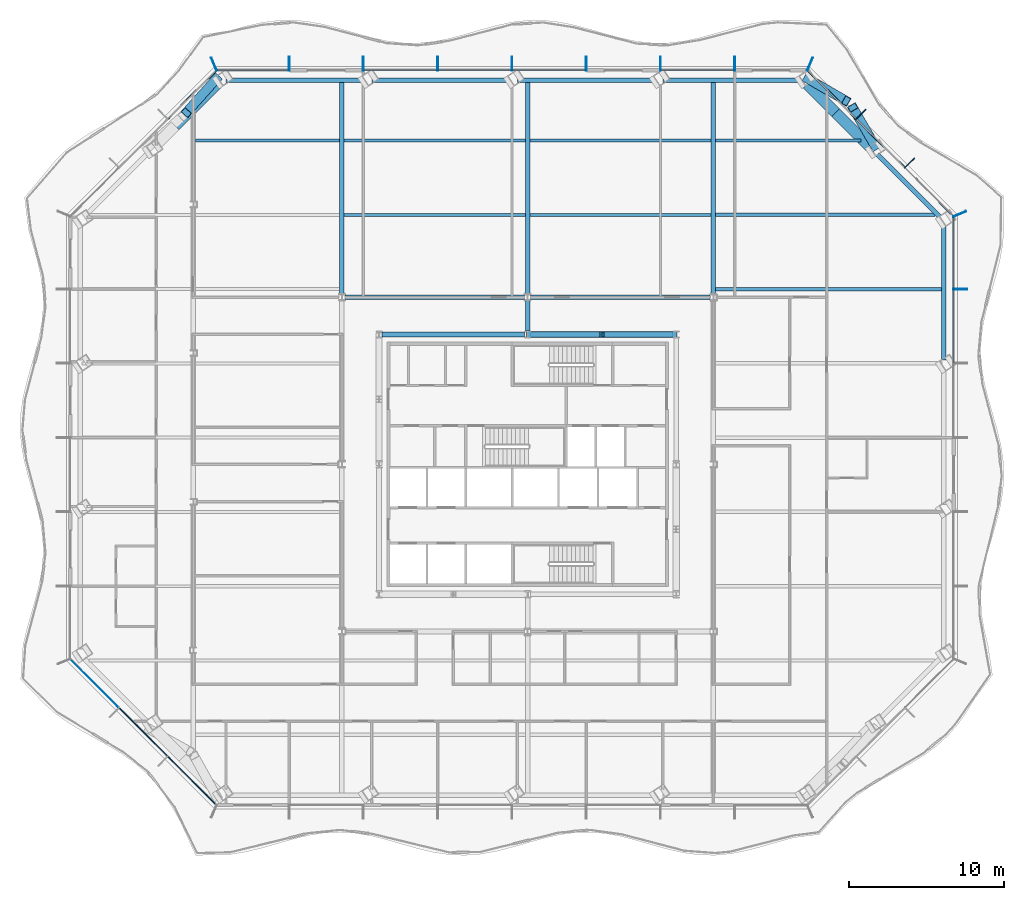
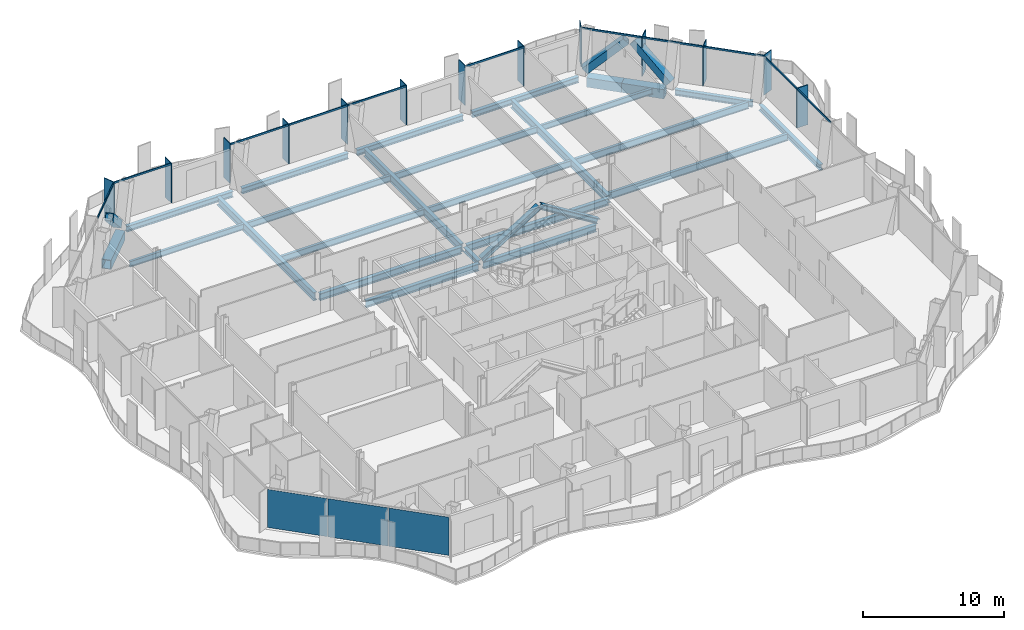
# One storey, part 5 of 21: 29 members, 25 beams, 3 plates, 5 elements without a shape of their own.
"""IFC4 building model written with IfcOpenShell, lengths in metres."""

import ifcopenshell
import ifcopenshell.guid

model = None  # the IFC model being written
_history = None  # IfcOwnerHistory: only IFC2X3 demands one
_inside = {}  # id of a spatial element -> (the spatial element, [elements in it])
_under = {}  # id of a project, library or spatial element -> (it, [spatial elements below it])
_declared = {}  # id of a project -> (the project, [libraries it declares])
_typed = {}  # id of a type object -> (the type object, [elements of that type])
_made_of = {}  # id of a material, layer set ... -> (it, [elements and type objects made of it])


def new_model(schema):
    """Start an empty IFC model of exactly this schema.

    Asked for "IFC4X3", IfcOpenShell would pick the latest addendum, in which some entities
    have other attributes; the version numbers below select the first issue.
    IFC2X3 requires an IfcOwnerHistory on every rooted entity: one is made here for all.
    """
    global model, _history
    if schema == "IFC4X3":
        model = ifcopenshell.file(schema_version=(4, 3, 0, 0))
    else:
        model = ifcopenshell.file(schema=schema)
    _inside.clear()
    _under.clear()
    _declared.clear()
    _typed.clear()
    _made_of.clear()
    _history = None
    if model.schema == "IFC2X3":
        org = make("IfcOrganization", Name="unknown")
        user = make(
            "IfcPersonAndOrganization",
            ThePerson=make("IfcPerson", FamilyName="unknown"),
            TheOrganization=org,
        )
        app = make(
            "IfcApplication",
            ApplicationDeveloper=org,
            Version="unknown",
            ApplicationFullName="unknown",
            ApplicationIdentifier="unknown",
        )
        _history = make(
            "IfcOwnerHistory",
            OwningUser=user,
            OwningApplication=app,
            ChangeAction="ADDED",
            CreationDate=0,
        )
    return model


def make(cls, **values):
    """One entity of the class cls with the attributes given. An attribute that is None is left unset."""
    return model.create_entity(
        cls, **{name: value for name, value in values.items() if value is not None}
    )


def rooted(cls, **values):
    """An entity with a GlobalId (a new one), such as an element, a storey or a relation."""
    return make(cls, GlobalId=ifcopenshell.guid.new(), OwnerHistory=_history, **values)


def si_unit(unit_type, name, prefix=None):
    """IfcSIUnit, for example si_unit("LENGTHUNIT", "METRE", prefix="MILLI")."""
    return make("IfcSIUnit", UnitType=unit_type, Prefix=prefix, Name=name)


def assignment(units):
    """IfcUnitAssignment: the units of a project."""
    return None if units is None else make("IfcUnitAssignment", Units=units)


def point(xyz):
    """IfcCartesianPoint."""
    return None if xyz is None else make("IfcCartesianPoint", Coordinates=xyz)


def direction(xyz):
    """IfcDirection."""
    return None if xyz is None else make("IfcDirection", DirectionRatios=xyz)


def frame(location, z_axis=None, x_axis=None):
    """IfcAxis2Placement3D, a coordinate frame: its origin and axes. An axis left out is left unset."""
    return make(
        "IfcAxis2Placement3D",
        Location=point(location),
        Axis=direction(z_axis),
        RefDirection=direction(x_axis),
    )


def frame_2d(location, x_axis=None):
    """IfcAxis2Placement2D, a coordinate frame in the plane: its origin and x axis."""
    return make(
        "IfcAxis2Placement2D", Location=point(location), RefDirection=direction(x_axis)
    )


def origin():
    """The frame at (0, 0, 0) with its axes left unset."""
    return frame((0.0, 0.0, 0.0))


def origin_2d():
    """The frame at (0, 0) in the plane with its x axis left unset."""
    return frame_2d((0.0, 0.0))


def place(relative_to, where):
    """IfcLocalPlacement: puts the frame where relative to a parent placement (None: the world)."""
    return make(
        "IfcLocalPlacement", PlacementRelTo=relative_to, RelativePlacement=where
    )


def context(
    kind, dimensions, precision=None, world=None, true_north=None, identifier=None
):
    """IfcGeometricRepresentationContext, for example the 3D "Model" context."""
    return make(
        "IfcGeometricRepresentationContext",
        ContextIdentifier=identifier,
        ContextType=kind,
        CoordinateSpaceDimension=dimensions,
        Precision=precision,
        WorldCoordinateSystem=world,
        TrueNorth=true_north,
    )


def subcontext(parent, identifier, kind, view, scale=None):
    """IfcGeometricRepresentationSubContext, for example "Body" below "Model"."""
    return make(
        "IfcGeometricRepresentationSubContext",
        ContextIdentifier=identifier,
        ContextType=kind,
        ParentContext=parent,
        TargetScale=scale,
        TargetView=view,
    )


def project(units=None, contexts=None):
    """IfcProject with its units and contexts."""
    return rooted(
        "IfcProject",
        Name="project",
        RepresentationContexts=contexts,
        UnitsInContext=assignment(units),
    )


def spatial(cls, under=None, at=None, **own):
    """A site, building, storey or space (cls), placed at a placement, below another one or the project."""
    s = rooted(cls, ObjectPlacement=at, **own)
    if under is not None:
        _under.setdefault(under.id(), (under, []))[1].append(s)
    return s


def profile(cls, at=None, kind="AREA", **sizes):
    """A parametric profile (cls). Its sizes go by their IFC names, for example OverallWidth=200.0."""
    return make(cls, ProfileType=kind, Position=at, **sizes)


def rectangle(**sizes):
    """IfcRectangleProfileDef."""
    return profile("IfcRectangleProfileDef", **sizes)


def hollow_rectangle(**sizes):
    """IfcRectangleHollowProfileDef."""
    return profile("IfcRectangleHollowProfileDef", **sizes)


def i_section(**sizes):
    """IfcIShapeProfileDef."""
    return profile("IfcIShapeProfileDef", **sizes)


def extrude(swept, where, along, depth):
    """IfcExtrudedAreaSolid: the profile swept, set in the frame where, extruded along a direction by depth."""
    return make(
        "IfcExtrudedAreaSolid",
        SweptArea=swept,
        Position=where,
        ExtrudedDirection=direction(along),
        Depth=depth,
    )


def shape(context_of_items, identifier, shape_type, items):
    """IfcShapeRepresentation: the items that make up one representation, for example the "Body"."""
    return make(
        "IfcShapeRepresentation",
        ContextOfItems=context_of_items,
        RepresentationIdentifier=identifier,
        RepresentationType=shape_type,
        Items=items,
    )


def material(Name=None, Category=None):
    """IfcMaterial."""
    return make("IfcMaterial", Name=Name, Category=Category)


def layer(
    of_material, thickness, ventilated=None, Name=None, Category=None, Priority=None
):
    """IfcMaterialLayer: one layer of a wall or slab, of a material (None: an air gap)."""
    return make(
        "IfcMaterialLayer",
        Material=of_material,
        LayerThickness=thickness,
        IsVentilated=ventilated,
        Name=Name,
        Category=Category,
        Priority=Priority,
    )


def layer_set(layers, Name=None):
    """IfcMaterialLayerSet."""
    return make("IfcMaterialLayerSet", MaterialLayers=layers, LayerSetName=Name)


def material_profile(
    of_material, cross_section, Name=None, Category=None, Priority=None
):
    """IfcMaterialProfile: a cross section and its material."""
    return make(
        "IfcMaterialProfile",
        Name=Name,
        Material=of_material,
        Profile=cross_section,
        Priority=Priority,
        Category=Category,
    )


def profile_set(profiles, Name=None, composite=None):
    """IfcMaterialProfileSet."""
    return make(
        "IfcMaterialProfileSet",
        Name=Name,
        MaterialProfiles=profiles,
        CompositeProfile=composite,
    )


def made_of(thing, what):
    """Note that an element or type object is made of a material, layer set ...; save() writes the relation."""
    if what is not None:
        _made_of.setdefault(what.id(), (what, []))[1].append(thing)
    return thing


def type_object(cls, material=None, **own):
    """A type object (cls), such as IfcWallType, which elements share."""
    return made_of(rooted(cls, **own), material)


def element(
    cls,
    number,
    at=None,
    inside=None,
    cuts=None,
    type_object=None,
    material=None,
    context=None,
    identifier="Body",
    shape_type=None,
    held_by="IfcProductDefinitionShape",
    body=None,
    shapes=None,
    **own,
):
    """One element of the class cls, such as IfcWall. Its Tag is "e" and its number.

    at: its placement. inside: the storey or other place that contains it. cuts: it is an
    opening in that element (IfcRelVoidsElement). A single representation is given by context,
    identifier, shape_type and body (its items); several are given by shapes. held_by: the class
    of the entity that holds the representations. save() writes the other relations.
    """
    e = rooted(cls, Tag="e%d" % number, ObjectPlacement=at, **own)
    if body is not None:
        shapes = [shape(context, identifier, shape_type, body)]
    if shapes is not None:
        e.Representation = make(held_by, Representations=shapes)
    if inside is not None:
        _inside.setdefault(inside.id(), (inside, []))[1].append(e)
    if cuts is not None:
        rooted(
            "IfcRelVoidsElement", RelatingBuildingElement=cuts, RelatedOpeningElement=e
        )
    if type_object is not None:
        _typed.setdefault(type_object.id(), (type_object, []))[1].append(e)
    return made_of(e, material)


def aggregate(whole, parts):
    """IfcRelAggregates: a whole, such as a stair, and the parts it consists of."""
    return rooted("IfcRelAggregates", RelatingObject=whole, RelatedObjects=parts)


def save(model, path):
    """Write the relations noted so far, then the file.

    IfcRelAggregates (storeys below a building ...), IfcRelContainedInSpatialStructure (elements
    in a storey), IfcRelDefinesByType, IfcRelAssociatesMaterial and IfcRelDeclares: one each for
    every whole, place, type object, material and project.
    """
    for whole, parts in _under.values():
        aggregate(whole, parts)
    for where, things in _inside.values():
        rooted(
            "IfcRelContainedInSpatialStructure",
            RelatedElements=things,
            RelatingStructure=where,
        )
    for kind, things in _typed.values():
        rooted("IfcRelDefinesByType", RelatedObjects=things, RelatingType=kind)
    for what, things in _made_of.values():
        rooted("IfcRelAssociatesMaterial", RelatedObjects=things, RelatingMaterial=what)
    for by, libraries in _declared.values():
        rooted("IfcRelDeclares", RelatingContext=by, RelatedDefinitions=libraries)
    model.write(path)


model = new_model("IFC4")

# Units and contexts
model_context = context("Model", 3, precision=1e-05, world=origin(), true_north=direction((0.0, 1.0)))
body_context = subcontext(model_context, "Body", "Model", "MODEL_VIEW")
ifc_project = project(units=[si_unit("LENGTHUNIT", "METRE"), si_unit("AREAUNIT", "SQUARE_METRE"), si_unit("VOLUMEUNIT", "CUBIC_METRE"), si_unit("PLANEANGLEUNIT", "RADIAN"), si_unit("MASSUNIT", "GRAM", prefix="KILO")], contexts=[model_context])

# Site, building, storey
site_placement = place(None, origin())
site = spatial("IfcSite", under=ifc_project, at=site_placement, CompositionType="ELEMENT")
building_placement = place(site_placement, origin())
building = spatial("IfcBuilding", under=site, at=building_placement, Name="Cairn Pilgrim Tower", CompositionType="ELEMENT")
storey_placement = place(building_placement, frame((0.0, 0.0, 108.60009765625)))
storey = spatial("IfcBuildingStorey", under=building, at=storey_placement, Name="L26", CompositionType="ELEMENT", Elevation=108.60009765625)

# Members
ifc_material_1 = material(Name="Structural steel S460M", Category="steel")
ifc_material_profile_1 = material_profile(ifc_material_1, hollow_rectangle(XDim=0.60009765625, YDim=0.60009765625, WallThickness=0.034912109375, at=origin_2d()), Name="BOX 600x600x35")
ifc_profile_set_1 = profile_set([ifc_material_profile_1], Name="Structural steel S460M")
member_type_1 = type_object("IfcMemberType", Name="BOX 600x600x35 BRACE", PredefinedType="BRACE", material=ifc_profile_set_1)
for number, where, z_axis, x_axis, name in (
    (1, (29.68603515625, 22.935302734375, 0.14990234375), (-0.375741407205, 0.647814929069, 0.662687115151), (-0.865026119361, -0.501726830878, 0.0), "XB-NE2-N1-1"),
    (2, (25.2626953125, 27.358642578125, 0.14990234375), (0.647814929069, -0.375741407205, 0.662687115151), (0.501726830878, 0.865026119361, 0.0), "XB-NE2-N1-2"),
):
    element("IfcMember", number, at=place(storey_placement, frame(where, z_axis=z_axis, x_axis=x_axis)), inside=storey, type_object=member_type_1, Name=name, PredefinedType="BRACE", context=body_context, shape_type="SweptSolid", body=[
        extrude(hollow_rectangle(XDim=0.60009765625, YDim=0.60009765625, WallThickness=0.034912109375, at=origin_2d()), origin(), (0.0, 0.0, 1.0), 3.906982421875),
    ])
member_1_placement = place(storey_placement, frame((-12.87939453125, 27.358642578125, 0.14990234375), z_axis=(-0.498923303945, -0.559613136456, 0.661746684379), x_axis=(0.746422047651, -0.665472859537, 0.0)))
element("IfcMember", 3, at=member_1_placement, inside=storey, type_object=member_type_1, Name="XB-NW1-NW2-1", PredefinedType="BRACE", context=body_context, shape_type="SweptSolid", body=[
    extrude(hollow_rectangle(XDim=0.60009765625, YDim=0.60009765625, WallThickness=0.034912109375, at=origin_2d()), origin(), (0.0, 0.0, 1.0), 3.970458984375),
])

# Beams
ifc_material_2 = material(Name="Structural steel S355J2", Category="steel")
ifc_material_profile_2 = material_profile(ifc_material_2, hollow_rectangle(XDim=0.699951171875, YDim=0.800048828125, WallThickness=0.0400390625, at=origin_2d()), Name="BOX 700x800x40")
ifc_profile_set_2 = profile_set([ifc_material_profile_2], Name="Structural steel S355J2")
beam_type_1 = type_object("IfcBeamType", Name="BOX 700x800x40 RING GIRDER", PredefinedType="SPANDREL", material=ifc_profile_set_2)
beam_1_placement = place(storey_placement, frame((29.30078125, 22.94580078125, -0.550048828125), z_axis=(-0.707106781187, 0.707106781187, 0.0), x_axis=(-0.707106781187, -0.707106781187, 0.0)))
element("IfcBeam", 4, at=beam_1_placement, inside=storey, type_object=beam_type_1, Name="RG1-NE2-N1-1", PredefinedType="SPANDREL", context=body_context, shape_type="SweptSolid", body=[
    extrude(hollow_rectangle(XDim=0.699951171875, YDim=0.800048828125, WallThickness=0.0400390625, at=origin_2d()), origin(), (0.0, 0.0, 1.0), 3.102294921875),
])
beam_2_placement = place(storey_placement, frame((27.107177734375, 25.139404296875, -0.550048828125), z_axis=(-0.707106781187, 0.707106781187, 0.0), x_axis=(-0.707106781187, -0.707106781187, 0.0)))
element("IfcBeam", 5, at=beam_2_placement, inside=storey, type_object=beam_type_1, Name="RG1-NE2-N1-2", PredefinedType="SPANDREL", context=body_context, shape_type="SweptSolid", body=[
    extrude(hollow_rectangle(XDim=0.699951171875, YDim=0.800048828125, WallThickness=0.0400390625, at=origin_2d()), origin(), (0.0, 0.0, 1.0), 2.59326171875),
])
beam_3_placement = place(storey_placement, frame((-12.89013671875, 26.97314453125, -0.550048828125), z_axis=(-0.707106781187, -0.707106781187, 0.0), x_axis=(0.707106781187, -0.707106781187, 0.0)))
element("IfcBeam", 6, at=beam_3_placement, inside=storey, type_object=beam_type_1, Name="RG1-NW1-NW2-1", PredefinedType="SPANDREL", context=body_context, shape_type="SweptSolid", body=[
    extrude(hollow_rectangle(XDim=0.699951171875, YDim=0.800048828125, WallThickness=0.0400390625, at=origin_2d()), origin(), (0.0, 0.0, 1.0), 3.81005859375),
])

# Curtain wall, member
ifc_material_3 = material(Name="Aluminium alloy 6063-T6 bronze anodised with Bronze tinted laminated low-E glass 8+16+8.8", Category="aluminium")
curtain_wall_type_1 = type_object("IfcCurtainWallType", Name="TOWER STICK CURTAIN WALL EW", PredefinedType="NOTDEFINED", material=ifc_material_3)
curtain_wall_1_placement = place(storey_placement, origin())
curtain_wall_1 = element("IfcCurtainWall", 7, at=curtain_wall_1_placement, inside=storey, type_object=curtain_wall_type_1, Name="Tower Stick Curtain Wall Ew E", PredefinedType="NOTDEFINED")
ifc_material_4 = material(Name="Aluminium alloy 6063-T6 bronze anodised", Category="aluminium")
ifc_material_profile_3 = material_profile(ifc_material_4, rectangle(XDim=0.89990234375, YDim=0.06005859375, at=origin_2d()), Name="FIN MULLION 60x900 BRONZE")
ifc_profile_set_3 = profile_set([ifc_material_profile_3], Name="Aluminium alloy 6063-T6 bronze anodised")
member_type_2 = type_object("IfcMemberType", Name="FIN MULLION 60x900 BRONZE", PredefinedType="MULLION", material=ifc_profile_set_3)
member_2_placement = place(storey_placement, frame((35.16162109375, 13.727783203125, 0.0), z_axis=(0.0, 0.0, 1.0), x_axis=(1.0, 0.0, 0.0)))
member_2 = element("IfcMember", 8, at=member_2_placement, type_object=member_type_2, Name="Fin mullion E6", PredefinedType="MULLION", context=body_context, shape_type="SweptSolid", body=[
    extrude(rectangle(XDim=0.89990234375, YDim=0.06005859375, at=origin_2d()), origin(), (0.0, 0.0, 1.0), 3.449951171875),
])

# Curtain wall, members
curtain_wall_type_2 = type_object("IfcCurtainWallType", Name="CHAMFER CORNER CURTAIN WALL", PredefinedType="NOTDEFINED", material=ifc_material_3)
curtain_wall_2_placement = place(storey_placement, origin())
curtain_wall_2 = element("IfcCurtainWall", 9, at=curtain_wall_2_placement, inside=storey, type_object=curtain_wall_type_2, Name="Chamfer Corner Curtain Wall NE", PredefinedType="NOTDEFINED")
member_3_placement = place(storey_placement, frame((35.129638671875, 18.5849609375, 0.0), z_axis=(0.0, 0.0, 1.0), x_axis=(0.923879532511, 0.382683432365, 0.0)))
member_3 = element("IfcMember", 10, at=member_3_placement, type_object=member_type_2, Name="Fin mullion NE1", PredefinedType="MULLION", context=body_context, shape_type="SweptSolid", body=[
    extrude(rectangle(XDim=0.89990234375, YDim=0.06005859375, at=origin_2d()), origin(), (0.0, 0.0, 1.0), 3.449951171875),
])
member_4_placement = place(storey_placement, frame((31.887451171875, 21.872314453125, 0.0), z_axis=(0.0, 0.0, 1.0), x_axis=(0.707106781187, 0.707106781187, 0.0)))
member_4 = element("IfcMember", 11, at=member_4_placement, type_object=member_type_2, Name="Fin mullion NE2", PredefinedType="MULLION", context=body_context, shape_type="SweptSolid", body=[
    extrude(rectangle(XDim=0.89990234375, YDim=0.06005859375, at=origin_2d()), origin(), (0.0, 0.0, 1.0), 3.449951171875),
])
member_5_placement = place(storey_placement, frame((28.736328125, 25.0234375, 0.0), z_axis=(0.0, 0.0, 1.0), x_axis=(0.707106781187, 0.707106781187, 0.0)))
member_5 = element("IfcMember", 12, at=member_5_placement, type_object=member_type_2, Name="Fin mullion NE3", PredefinedType="MULLION", context=body_context, shape_type="SweptSolid", body=[
    extrude(rectangle(XDim=0.89990234375, YDim=0.06005859375, at=origin_2d()), origin(), (0.0, 0.0, 1.0), 3.449951171875),
])

curtain_wall_type_3 = type_object("IfcCurtainWallType", Name="TOWER STICK CURTAIN WALL NS", PredefinedType="NOTDEFINED", material=ifc_material_3)
curtain_wall_3_placement = place(storey_placement, origin())
curtain_wall_3 = element("IfcCurtainWall", 13, at=curtain_wall_3_placement, inside=storey, type_object=curtain_wall_type_3, Name="Tower Stick Curtain Wall Ns N", PredefinedType="NOTDEFINED")
member_6_placement = place(storey_placement, frame((25.44873046875, 28.265869140625, 0.0), z_axis=(0.0, 0.0, 1.0), x_axis=(0.382683432365, 0.923879532511, 0.0)))
member_6 = element("IfcMember", 14, at=member_6_placement, type_object=member_type_2, Name="Fin mullion N1", PredefinedType="MULLION", context=body_context, shape_type="SweptSolid", body=[
    extrude(rectangle(XDim=0.89990234375, YDim=0.06005859375, at=origin_2d()), origin(), (0.0, 0.0, 1.0), 3.449951171875),
])
member_7_placement = place(storey_placement, frame((20.591552734375, 28.2978515625, 0.0), z_axis=(0.0, 0.0, 1.0), x_axis=(0.0, 1.0, 0.0)))
member_7 = element("IfcMember", 15, at=member_7_placement, type_object=member_type_2, Name="Fin mullion N2", PredefinedType="MULLION", context=body_context, shape_type="SweptSolid", body=[
    extrude(rectangle(XDim=0.89990234375, YDim=0.06005859375, at=origin_2d()), origin(), (0.0, 0.0, 1.0), 3.449951171875),
])
member_8_placement = place(storey_placement, frame((15.79150390625, 28.2978515625, 0.0), z_axis=(0.0, 0.0, 1.0), x_axis=(0.0, 1.0, 0.0)))
member_8 = element("IfcMember", 16, at=member_8_placement, type_object=member_type_2, Name="Fin mullion N3", PredefinedType="MULLION", context=body_context, shape_type="SweptSolid", body=[
    extrude(rectangle(XDim=0.89990234375, YDim=0.06005859375, at=origin_2d()), origin(), (0.0, 0.0, 1.0), 3.449951171875),
])
member_9_placement = place(storey_placement, frame((10.99169921875, 28.2978515625, 0.0), z_axis=(0.0, 0.0, 1.0), x_axis=(0.0, 1.0, 0.0)))
member_9 = element("IfcMember", 17, at=member_9_placement, type_object=member_type_2, Name="Fin mullion N4", PredefinedType="MULLION", context=body_context, shape_type="SweptSolid", body=[
    extrude(rectangle(XDim=0.89990234375, YDim=0.06005859375, at=origin_2d()), origin(), (0.0, 0.0, 1.0), 3.449951171875),
])
member_10_placement = place(storey_placement, frame((6.191650390625, 28.2978515625, 0.0), z_axis=(0.0, 0.0, 1.0), x_axis=(0.0, 1.0, 0.0)))
member_10 = element("IfcMember", 18, at=member_10_placement, type_object=member_type_2, Name="Fin mullion N5", PredefinedType="MULLION", context=body_context, shape_type="SweptSolid", body=[
    extrude(rectangle(XDim=0.89990234375, YDim=0.06005859375, at=origin_2d()), origin(), (0.0, 0.0, 1.0), 3.449951171875),
])
member_11_placement = place(storey_placement, frame((1.3916015625, 28.2978515625, 0.0), z_axis=(0.0, 0.0, 1.0), x_axis=(0.0, 1.0, 0.0)))
member_11 = element("IfcMember", 19, at=member_11_placement, type_object=member_type_2, Name="Fin mullion N6", PredefinedType="MULLION", context=body_context, shape_type="SweptSolid", body=[
    extrude(rectangle(XDim=0.89990234375, YDim=0.06005859375, at=origin_2d()), origin(), (0.0, 0.0, 1.0), 3.449951171875),
])
member_12_placement = place(storey_placement, frame((-3.408447265625, 28.2978515625, 0.0), z_axis=(0.0, 0.0, 1.0), x_axis=(0.0, 1.0, 0.0)))
member_12 = element("IfcMember", 20, at=member_12_placement, type_object=member_type_2, Name="Fin mullion N7", PredefinedType="MULLION", context=body_context, shape_type="SweptSolid", body=[
    extrude(rectangle(XDim=0.89990234375, YDim=0.06005859375, at=origin_2d()), origin(), (0.0, 0.0, 1.0), 3.449951171875),
])
member_13_placement = place(storey_placement, frame((-8.20849609375, 28.2978515625, 0.0), z_axis=(0.0, 0.0, 1.0), x_axis=(0.0, 1.0, 0.0)))
member_13 = element("IfcMember", 21, at=member_13_placement, type_object=member_type_2, Name="Fin mullion N8", PredefinedType="MULLION", context=body_context, shape_type="SweptSolid", body=[
    extrude(rectangle(XDim=0.89990234375, YDim=0.06005859375, at=origin_2d()), origin(), (0.0, 0.0, 1.0), 3.449951171875),
])

# Curtain wall, member
curtain_wall_4_placement = place(storey_placement, origin())
curtain_wall_4 = element("IfcCurtainWall", 22, at=curtain_wall_4_placement, inside=storey, type_object=curtain_wall_type_2, Name="Chamfer Corner Curtain Wall NW", PredefinedType="NOTDEFINED")
member_14_placement = place(storey_placement, frame((-13.065673828125, 28.265869140625, 0.0), z_axis=(0.0, 0.0, 1.0), x_axis=(-0.382683432365, 0.923879532511, 0.0)))
member_14 = element("IfcMember", 23, at=member_14_placement, type_object=member_type_2, Name="Fin mullion NW1", PredefinedType="MULLION", context=body_context, shape_type="SweptSolid", body=[
    extrude(rectangle(XDim=0.89990234375, YDim=0.06005859375, at=origin_2d()), origin(), (0.0, 0.0, 1.0), 3.449951171875),
])

# Members
ifc_material_profile_4 = material_profile(ifc_material_1, i_section(OverallWidth=0.408935546875, OverallDepth=0.425048828125, WebThickness=0.03271484375, FlangeThickness=0.052490234375, FilletRadius=0.014892578125, at=origin_2d()), Name="HD 400x421")
ifc_profile_set_4 = profile_set([ifc_material_profile_4], Name="Structural steel S460M")
member_type_3 = type_object("IfcMemberType", Name="HD 400x421 BRACE", PredefinedType="BRACE", material=ifc_profile_set_4)
for number, where, z_axis, x_axis, name in (
    (24, (16.757568359375, 10.800048828125, 0.099853515625), (-0.851063308605, 0.0, 0.525063086444), (0.0, -1.0, 0.0), "KB-3A"),
    (25, (7.242431640625, 10.800048828125, 0.099853515625), (0.851063308605, 0.0, 0.525063086444), (0.0, 1.0, 0.0), "KB-3B"),
):
    element("IfcMember", number, at=place(storey_placement, frame(where, z_axis=z_axis, x_axis=x_axis)), inside=storey, type_object=member_type_3, Name=name, PredefinedType="BRACE", context=body_context, shape_type="SweptSolid", body=[
        extrude(i_section(OverallWidth=0.408935546875, OverallDepth=0.425048828125, WebThickness=0.03271484375, FlangeThickness=0.052490234375, FilletRadius=0.014892578125, at=origin_2d()), origin(), (0.0, 0.0, 1.0), 5.527587890625),
    ])

# Beams
ifc_material_profile_5 = material_profile(ifc_material_2, i_section(OverallWidth=0.300048828125, OverallDepth=0.39990234375, WebThickness=0.013427734375, FlangeThickness=0.02392578125, FilletRadius=0.027099609375, at=origin_2d()), Name="HEB 400")
ifc_profile_set_5 = profile_set([ifc_material_profile_5], Name="Structural steel S355J2")
beam_type_2 = type_object("IfcBeamType", Name="HEB 400 GIRDER", PredefinedType="BEAM", material=ifc_profile_set_5)
beam_4_placement = place(storey_placement, frame((7.199951171875, 11.011962890625, -0.35009765625), z_axis=(0.0, 1.0, 0.0), x_axis=(-1.0, 0.0, 0.0)))
element("IfcBeam", 26, at=beam_4_placement, inside=storey, type_object=beam_type_2, Name="PG3-E2", PredefinedType="BEAM", context=body_context, shape_type="SweptSolid", body=[
    extrude(i_section(OverallWidth=0.300048828125, OverallDepth=0.39990234375, WebThickness=0.013427734375, FlangeThickness=0.02392578125, FilletRadius=0.027099609375, at=origin_2d()), origin(), (0.0, 0.0, 1.0), 1.983642578125),
])
ifc_material_profile_6 = material_profile(ifc_material_2, i_section(OverallWidth=0.300048828125, OverallDepth=0.5, WebThickness=0.014404296875, FlangeThickness=0.028076171875, FilletRadius=0.027099609375, at=origin_2d()), Name="HEB 500")
ifc_profile_set_6 = profile_set([ifc_material_profile_6], Name="Structural steel S355J2")
beam_type_3 = type_object("IfcBeamType", Name="HEB 500 RING GIRDER", PredefinedType="SPANDREL", material=ifc_profile_set_6)
beam_5_placement = place(storey_placement, frame((34.091552734375, 9.16357421875, -0.400146484375), z_axis=(0.0, 1.0, 0.0), x_axis=(-1.0, 0.0, 0.0)))
element("IfcBeam", 27, at=beam_5_placement, inside=storey, type_object=beam_type_3, Name="RG1-E3-NE1", PredefinedType="SPANDREL", context=body_context, shape_type="SweptSolid", body=[
    extrude(i_section(OverallWidth=0.300048828125, OverallDepth=0.5, WebThickness=0.014404296875, FlangeThickness=0.028076171875, FilletRadius=0.027099609375, at=origin_2d()), origin(), (0.0, 0.0, 1.0), 8.63134765625),
])
beam_6_placement = place(storey_placement, frame((33.837158203125, 18.409423828125, -0.400146484375), z_axis=(-0.707106781187, 0.707106781187, 0.0), x_axis=(-0.707106781187, -0.707106781187, 0.0)))
element("IfcBeam", 28, at=beam_6_placement, inside=storey, type_object=beam_type_3, Name="RG1-NE1-NE2", PredefinedType="SPANDREL", context=body_context, shape_type="SweptSolid", body=[
    extrude(i_section(OverallWidth=0.300048828125, OverallDepth=0.5, WebThickness=0.014404296875, FlangeThickness=0.028076171875, FilletRadius=0.027099609375, at=origin_2d()), origin(), (0.0, 0.0, 1.0), 5.695556640625),
])
for number, where, z_axis, x_axis, name in (
    (29, (24.65869140625, 27.227783203125, -0.400146484375), (-1.0, 0.0, 0.0), (0.0, -1.0, 0.0), "RG1-N1-N2"),
    (30, (15.2451171875, 27.227783203125, -0.400146484375), (-1.0, 0.0, 0.0), (0.0, -1.0, 0.0), "RG1-N2-N3"),
    (31, (5.83154296875, 27.227783203125, -0.400146484375), (-1.0, 0.0, 0.0), (0.0, -1.0, 0.0), "RG1-N3-N4"),
    (32, (-3.58203125, 27.227783203125, -0.400146484375), (-1.0, 0.0, 0.0), (0.0, -1.0, 0.0), "RG1-N4-NW1"),
):
    element("IfcBeam", number, at=place(storey_placement, frame(where, z_axis=z_axis, x_axis=x_axis)), inside=storey, type_object=beam_type_3, Name=name, PredefinedType="SPANDREL", context=body_context, shape_type="SweptSolid", body=[
        extrude(i_section(OverallWidth=0.300048828125, OverallDepth=0.5, WebThickness=0.014404296875, FlangeThickness=0.028076171875, FilletRadius=0.027099609375, at=origin_2d()), origin(), (0.0, 0.0, 1.0), 8.693603515625),
    ])
ifc_material_profile_7 = material_profile(ifc_material_2, i_section(OverallWidth=0.300048828125, OverallDepth=0.60009765625, WebThickness=0.015380859375, FlangeThickness=0.030029296875, FilletRadius=0.027099609375, at=origin_2d()), Name="HEB 600")
ifc_profile_set_7 = profile_set([ifc_material_profile_7], Name="Structural steel S355J2")
beam_type_4 = type_object("IfcBeamType", Name="HEB 600 CORE BEAM", PredefinedType="BEAM", material=ifc_profile_set_7)
beam_7_placement = place(storey_placement, frame((16.609130859375, 10.800048828125, -0.4501953125), z_axis=(-1.0, 0.0, 0.0), x_axis=(0.0, -1.0, 0.0)))
element("IfcBeam", 33, at=beam_7_placement, inside=storey, type_object=beam_type_4, Name="CB-5", PredefinedType="BEAM", context=body_context, shape_type="SweptSolid", body=[
    extrude(i_section(OverallWidth=0.300048828125, OverallDepth=0.60009765625, WebThickness=0.015380859375, FlangeThickness=0.030029296875, FilletRadius=0.027099609375, at=origin_2d()), origin(), (0.0, 0.0, 1.0), 9.21826171875),
])
beam_8_placement = place(storey_placement, frame((7.00927734375, 10.800048828125, -0.4501953125), z_axis=(-1.0, 0.0, 0.0), x_axis=(0.0, -1.0, 0.0)))
element("IfcBeam", 34, at=beam_8_placement, inside=storey, type_object=beam_type_4, Name="CB-6", PredefinedType="BEAM", context=body_context, shape_type="SweptSolid", body=[
    extrude(i_section(OverallWidth=0.300048828125, OverallDepth=0.60009765625, WebThickness=0.015380859375, FlangeThickness=0.030029296875, FilletRadius=0.027099609375, at=origin_2d()), origin(), (0.0, 0.0, 1.0), 9.218505859375),
])
ifc_material_profile_8 = material_profile(ifc_material_2, i_section(OverallWidth=0.300048828125, OverallDepth=0.60009765625, WebThickness=0.015380859375, FlangeThickness=0.030029296875, FilletRadius=0.027099609375, at=origin_2d()), Name="HEB 600")
ifc_profile_set_8 = profile_set([ifc_material_profile_8], Name="Structural steel S355J2")
beam_type_5 = type_object("IfcBeamType", Name="HEB 600 INNER GIRDER", PredefinedType="BEAM", material=ifc_profile_set_8)
for number, where, z_axis, x_axis, name in (
    (35, (-4.595458984375, 13.199951171875, -0.4501953125), (1.0, 0.0, 0.0), (0.0, 1.0, 0.0), "IG2-1"),
    (36, (7.404541015625, 13.199951171875, -0.4501953125), (1.0, 0.0, 0.0), (0.0, 1.0, 0.0), "IG2-2"),
):
    element("IfcBeam", number, at=place(storey_placement, frame(where, z_axis=z_axis, x_axis=x_axis)), inside=storey, type_object=beam_type_5, Name=name, PredefinedType="BEAM", context=body_context, shape_type="SweptSolid", body=[
        extrude(i_section(OverallWidth=0.300048828125, OverallDepth=0.60009765625, WebThickness=0.015380859375, FlangeThickness=0.030029296875, FilletRadius=0.027099609375, at=origin_2d()), origin(), (0.0, 0.0, 1.0), 11.591064453125),
    ])
ifc_material_profile_9 = material_profile(ifc_material_2, i_section(OverallWidth=0.300048828125, OverallDepth=0.699951171875, WebThickness=0.01708984375, FlangeThickness=0.031982421875, FilletRadius=0.027099609375, at=origin_2d()), Name="HEB 700")
ifc_profile_set_9 = profile_set([ifc_material_profile_9], Name="Structural steel S355J2")
beam_type_6 = type_object("IfcBeamType", Name="HEB 700 GIRDER", PredefinedType="BEAM", material=ifc_profile_set_9)
for number, where, z_axis, x_axis, name in (
    (37, (-4.800048828125, 13.404541015625, -0.5), (0.0, 1.0, 0.0), (-1.0, 0.0, 0.0), "PG2-4"),
    (38, (7.199951171875, 13.404541015625, -0.5), (0.0, 1.0, 0.0), (-1.0, 0.0, 0.0), "PG3-2"),
    (39, (19.199951171875, 13.404541015625, -0.5), (0.0, 1.0, 0.0), (-1.0, 0.0, 0.0), "PG4-4"),
):
    element("IfcBeam", number, at=place(storey_placement, frame(where, z_axis=z_axis, x_axis=x_axis)), inside=storey, type_object=beam_type_6, Name=name, PredefinedType="BEAM", context=body_context, shape_type="SweptSolid", body=[
        extrude(i_section(OverallWidth=0.300048828125, OverallDepth=0.699951171875, WebThickness=0.01708984375, FlangeThickness=0.031982421875, FilletRadius=0.027099609375, at=origin_2d()), origin(), (0.0, 0.0, 1.0), 13.703125),
    ])
ifc_material_profile_10 = material_profile(ifc_material_2, i_section(OverallWidth=0.199951171875, OverallDepth=0.5, WebThickness=0.01025390625, FlangeThickness=0.01611328125, FilletRadius=0.02099609375, at=origin_2d()), Name="IPE 500")
ifc_profile_set_10 = profile_set([ifc_material_profile_10], Name="Structural steel S355J2")
beam_type_7 = type_object("IfcBeamType", Name="IPE 500 SECONDARY BEAM", PredefinedType="JOIST", material=ifc_profile_set_10)
beam_9_placement = place(storey_placement, frame((-14.25, 23.32763671875, -0.400146484375), z_axis=(1.0, 0.0, 0.0), x_axis=(0.0, 1.0, 0.0)))
element("IfcBeam", 40, at=beam_9_placement, inside=storey, type_object=beam_type_7, Name="SB9-1", PredefinedType="JOIST", context=body_context, shape_type="SweptSolid", body=[
    extrude(i_section(OverallWidth=0.199951171875, OverallDepth=0.5, WebThickness=0.01025390625, FlangeThickness=0.01611328125, FilletRadius=0.02099609375, at=origin_2d()), origin(), (0.0, 0.0, 1.0), 9.300048828125),
])
beam_10_placement = place(storey_placement, frame((19.35009765625, 23.32763671875, -0.400146484375), z_axis=(1.0, 0.0, 0.0), x_axis=(0.0, 1.0, 0.0)))
element("IfcBeam", 41, at=beam_10_placement, inside=storey, type_object=beam_type_7, Name="SB9-4", PredefinedType="JOIST", context=body_context, shape_type="SweptSolid", body=[
    extrude(i_section(OverallWidth=0.199951171875, OverallDepth=0.5, WebThickness=0.01025390625, FlangeThickness=0.01611328125, FilletRadius=0.02099609375, at=origin_2d()), origin(), (0.0, 0.0, 1.0), 9.38671875),
])
ifc_material_profile_11 = material_profile(ifc_material_2, i_section(OverallWidth=0.2099609375, OverallDepth=0.550048828125, WebThickness=0.010986328125, FlangeThickness=0.01708984375, FilletRadius=0.02392578125, at=origin_2d()), Name="IPE 550")
ifc_profile_set_11 = profile_set([ifc_material_profile_11], Name="Structural steel S355J2")
beam_type_8 = type_object("IfcBeamType", Name="IPE 550 SECONDARY BEAM", PredefinedType="JOIST", material=ifc_profile_set_11)
for number, where, z_axis, x_axis, name in (
    (42, (-4.64990234375, 18.527587890625, -0.425048828125), (1.0, 0.0, 0.0), (0.0, 1.0, 0.0), "SB8-3"),
    (43, (7.35009765625, 18.527587890625, -0.425048828125), (1.0, 0.0, 0.0), (0.0, 1.0, 0.0), "SB8-4"),
    (44, (-4.64990234375, 23.32763671875, -0.425048828125), (1.0, 0.0, 0.0), (0.0, 1.0, 0.0), "SB9-2"),
    (45, (7.35009765625, 23.32763671875, -0.425048828125), (1.0, 0.0, 0.0), (0.0, 1.0, 0.0), "SB9-3"),
):
    element("IfcBeam", number, at=place(storey_placement, frame(where, z_axis=z_axis, x_axis=x_axis)), inside=storey, type_object=beam_type_8, Name=name, PredefinedType="JOIST", context=body_context, shape_type="SweptSolid", body=[
        extrude(i_section(OverallWidth=0.2099609375, OverallDepth=0.550048828125, WebThickness=0.010986328125, FlangeThickness=0.01708984375, FilletRadius=0.02392578125, at=origin_2d()), origin(), (0.0, 0.0, 1.0), 11.699951171875),
    ])
ifc_material_profile_12 = material_profile(ifc_material_2, i_section(OverallWidth=0.219970703125, OverallDepth=0.60009765625, WebThickness=0.011962890625, FlangeThickness=0.01904296875, FilletRadius=0.02392578125, at=origin_2d()), Name="IPE 600")
ifc_profile_set_12 = profile_set([ifc_material_profile_12], Name="Structural steel S355J2")
beam_type_9 = type_object("IfcBeamType", Name="IPE 600 SECONDARY BEAM", PredefinedType="JOIST", material=ifc_profile_set_12)
beam_11_placement = place(storey_placement, frame((19.35009765625, 13.727783203125, -0.4501953125), z_axis=(1.0, 0.0, 0.0), x_axis=(0.0, 1.0, 0.0)))
element("IfcBeam", 46, at=beam_11_placement, inside=storey, type_object=beam_type_9, Name="SB7-3", PredefinedType="JOIST", context=body_context, shape_type="SweptSolid", body=[
    extrude(i_section(OverallWidth=0.219970703125, OverallDepth=0.60009765625, WebThickness=0.011962890625, FlangeThickness=0.01904296875, FilletRadius=0.02392578125, at=origin_2d()), origin(), (0.0, 0.0, 1.0), 14.62158203125),
])
beam_12_placement = place(storey_placement, frame((19.35009765625, 18.527587890625, -0.4501953125), z_axis=(1.0, 0.0, 0.0), x_axis=(0.0, 1.0, 0.0)))
element("IfcBeam", 47, at=beam_12_placement, inside=storey, type_object=beam_type_9, Name="SB8-5", PredefinedType="JOIST", context=body_context, shape_type="SweptSolid", body=[
    extrude(i_section(OverallWidth=0.219970703125, OverallDepth=0.60009765625, WebThickness=0.011962890625, FlangeThickness=0.01904296875, FilletRadius=0.02392578125, at=origin_2d()), origin(), (0.0, 0.0, 1.0), 14.1865234375),
])

# Member
ifc_material_profile_13 = material_profile(ifc_material_4, rectangle(XDim=0.080078125, YDim=0.14990234375, at=origin_2d()), Name="TRANSOM 80x150 BRONZE")
ifc_profile_set_13 = profile_set([ifc_material_profile_13], Name="Aluminium alloy 6063-T6 bronze anodised")
member_type_4 = type_object("IfcMemberType", Name="TRANSOM 80x150 BRONZE", PredefinedType="USERDEFINED", material=ifc_profile_set_13)
member_15_placement = place(storey_placement, frame((34.74169921875, 8.957763671875, 3.375), z_axis=(0.0, 1.0, 0.0), x_axis=(-1.0, 0.0, 0.0)))
member_15 = element("IfcMember", 48, at=member_15_placement, type_object=member_type_4, Name="Transom E5", ObjectType="TRANSOM", PredefinedType="USERDEFINED", context=body_context, shape_type="SweptSolid", body=[
    extrude(rectangle(XDim=0.080078125, YDim=0.14990234375, at=origin_2d()), origin(), (0.0, 0.0, 1.0), 4.739990234375),
])

member_16_placement = place(storey_placement, frame((34.74169921875, 13.7578125, 3.375), z_axis=(0.0, 1.0, 0.0), x_axis=(-1.0, 0.0, 0.0)))
member_16 = element("IfcMember", 49, at=member_16_placement, type_object=member_type_4, Name="Transom E6", ObjectType="TRANSOM", PredefinedType="USERDEFINED", context=body_context, shape_type="SweptSolid", body=[
    extrude(rectangle(XDim=0.080078125, YDim=0.14990234375, at=origin_2d()), origin(), (0.0, 0.0, 1.0), 4.62646484375),
])

aggregate(curtain_wall_1, [member_2, member_15, member_16])

member_17_placement = place(storey_placement, frame((34.71337890625, 18.452392578125, 3.375), z_axis=(-0.707106781187, 0.707106781187, 0.0), x_axis=(-0.707106781187, -0.707106781187, 0.0)))
member_17 = element("IfcMember", 50, at=member_17_placement, type_object=member_type_4, Name="Transom NE1", ObjectType="TRANSOM", PredefinedType="USERDEFINED", context=body_context, shape_type="SweptSolid", body=[
    extrude(rectangle(XDim=0.080078125, YDim=0.14990234375, at=origin_2d()), origin(), (0.0, 0.0, 1.0), 4.38671875),
])

member_18_placement = place(storey_placement, frame((31.5693359375, 21.5966796875, 3.375), z_axis=(-0.707134546251, 0.707079015032, 0.0), x_axis=(-0.707079015032, -0.707134546251, 0.0)))
member_18 = element("IfcMember", 51, at=member_18_placement, type_object=member_type_4, Name="Transom NE2", ObjectType="TRANSOM", PredefinedType="USERDEFINED", context=body_context, shape_type="SweptSolid", body=[
    extrude(rectangle(XDim=0.080078125, YDim=0.14990234375, at=origin_2d()), origin(), (0.0, 0.0, 1.0), 4.396484375),
])

member_19_placement = place(storey_placement, frame((28.41796875, 24.747802734375, 3.375), z_axis=(-0.707106781187, 0.707106781187, 0.0), x_axis=(-0.707106781187, -0.707106781187, 0.0)))
member_19 = element("IfcMember", 52, at=member_19_placement, type_object=member_type_4, Name="Transom NE3", ObjectType="TRANSOM", PredefinedType="USERDEFINED", context=body_context, shape_type="SweptSolid", body=[
    extrude(rectangle(XDim=0.080078125, YDim=0.14990234375, at=origin_2d()), origin(), (0.0, 0.0, 1.0), 4.38623046875),
])

aggregate(curtain_wall_2, [member_3, member_4, member_5, member_17, member_18, member_19])

member_20_placement = place(storey_placement, frame((20.5615234375, 27.877685546875, 3.375), z_axis=(-1.0, 0.0, 0.0), x_axis=(0.0, -1.0, 0.0)))
member_20 = element("IfcMember", 53, at=member_20_placement, type_object=member_type_4, Name="Transom N2", ObjectType="TRANSOM", PredefinedType="USERDEFINED", context=body_context, shape_type="SweptSolid", body=[
    extrude(rectangle(XDim=0.080078125, YDim=0.14990234375, at=origin_2d()), origin(), (0.0, 0.0, 1.0), 4.739990234375),
])

member_21_placement = place(storey_placement, frame((10.961669921875, 27.877685546875, 3.375), z_axis=(-1.0, 0.0, 0.0), x_axis=(0.0, -1.0, 0.0)))
member_21 = element("IfcMember", 54, at=member_21_placement, type_object=member_type_4, Name="Transom N4", ObjectType="TRANSOM", PredefinedType="USERDEFINED", context=body_context, shape_type="SweptSolid", body=[
    extrude(rectangle(XDim=0.080078125, YDim=0.14990234375, at=origin_2d()), origin(), (0.0, 0.0, 1.0), 4.739990234375),
])

member_22_placement = place(storey_placement, frame((6.16162109375, 27.877685546875, 3.375), z_axis=(-1.0, 0.0, 0.0), x_axis=(0.0, -1.0, 0.0)))
member_22 = element("IfcMember", 55, at=member_22_placement, type_object=member_type_4, Name="Transom N5", ObjectType="TRANSOM", PredefinedType="USERDEFINED", context=body_context, shape_type="SweptSolid", body=[
    extrude(rectangle(XDim=0.080078125, YDim=0.14990234375, at=origin_2d()), origin(), (0.0, 0.0, 1.0), 4.739990234375),
])

member_23_placement = place(storey_placement, frame((1.361572265625, 27.877685546875, 3.375), z_axis=(-1.0, 0.0, 0.0), x_axis=(0.0, -1.0, 0.0)))
member_23 = element("IfcMember", 56, at=member_23_placement, type_object=member_type_4, Name="Transom N6", ObjectType="TRANSOM", PredefinedType="USERDEFINED", context=body_context, shape_type="SweptSolid", body=[
    extrude(rectangle(XDim=0.080078125, YDim=0.14990234375, at=origin_2d()), origin(), (0.0, 0.0, 1.0), 4.739990234375),
])

member_24_placement = place(storey_placement, frame((-8.23828125, 27.877685546875, 3.375), z_axis=(-1.0, 0.0, 0.0), x_axis=(0.0, -1.0, 0.0)))
member_24 = element("IfcMember", 57, at=member_24_placement, type_object=member_type_4, Name="Transom N8", ObjectType="TRANSOM", PredefinedType="USERDEFINED", context=body_context, shape_type="SweptSolid", body=[
    extrude(rectangle(XDim=0.080078125, YDim=0.14990234375, at=origin_2d()), origin(), (0.0, 0.0, 1.0), 4.62646484375),
])

aggregate(curtain_wall_3, [member_6, member_7, member_8, member_9, member_10, member_11, member_12, member_13, member_20, member_21, member_22, member_23, member_24])

member_25_placement = place(storey_placement, frame((-12.93310546875, 27.849365234375, 3.375), z_axis=(-0.707134609628, -0.70707895165, 0.0), x_axis=(0.70707895165, -0.707134609628, 0.0)))
member_25 = element("IfcMember", 58, at=member_25_placement, type_object=member_type_4, Name="Transom NW1", ObjectType="TRANSOM", PredefinedType="USERDEFINED", context=body_context, shape_type="SweptSolid", body=[
    extrude(rectangle(XDim=0.080078125, YDim=0.14990234375, at=origin_2d()), origin(), (0.0, 0.0, 1.0), 4.386474609375),
])

aggregate(curtain_wall_4, [member_14, member_25])

# Curtain wall, plates
curtain_wall_5_placement = place(storey_placement, origin())
curtain_wall_5 = element("IfcCurtainWall", 59, at=curtain_wall_5_placement, inside=storey, type_object=curtain_wall_type_2, Name="Chamfer Corner Curtain Wall SW", PredefinedType="NOTDEFINED")
ifc_material_5 = material(Name="Bronze anodised aluminium spandrel panel with mineral wool insulation", Category="aluminium")
ifc_layer_1 = layer(ifc_material_5, 0.06005859375)
ifc_layer_set_1 = layer_set([ifc_layer_1], Name="SPANDREL PANEL 4386x3300")
plate_type_1 = type_object("IfcPlateType", Name="SPANDREL PANEL 4386x3300", PredefinedType="CURTAIN_PANEL", material=ifc_layer_set_1)
plate_1_placement = place(storey_placement, frame((-14.48388671875, -18.043212890625, 0.0), z_axis=(0.0, 0.0, 1.0), x_axis=(0.707106781187, -0.707106781187, 0.0)))
plate_1 = element("IfcPlate", 60, at=plate_1_placement, type_object=plate_type_1, Name="Spandrel Panel SW3-1", PredefinedType="CURTAIN_PANEL", context=body_context, shape_type="SweptSolid", body=[
    extrude(rectangle(XDim=4.386474609375, YDim=0.06005859375, at=origin_2d()), origin(), (0.0, 0.0, 1.0), 3.300048828125),
])
ifc_layer_2 = layer(ifc_material_5, 0.06005859375)
ifc_layer_set_2 = layer_set([ifc_layer_2], Name="SPANDREL PANEL 4396x3300")
plate_type_2 = type_object("IfcPlateType", Name="SPANDREL PANEL 4396x3300", PredefinedType="CURTAIN_PANEL", material=ifc_layer_set_2)
plate_2_placement = place(storey_placement, frame((-17.631591796875, -14.8955078125, 0.0), z_axis=(0.0, 0.0, 1.0), x_axis=(0.707106781187, -0.707106781187, 0.0)))
plate_2 = element("IfcPlate", 61, at=plate_2_placement, type_object=plate_type_2, Name="Spandrel Panel SW2-1", PredefinedType="CURTAIN_PANEL", context=body_context, shape_type="SweptSolid", body=[
    extrude(rectangle(XDim=4.396484375, YDim=0.06005859375, at=origin_2d()), origin(), (0.0, 0.0, 1.0), 3.300048828125),
])
ifc_material_6 = material(Name="Bronze tinted laminated low-E glass 8+16+8.8", Category="glass")
ifc_layer_3 = layer(ifc_material_6, 0.033935546875)
ifc_layer_set_3 = layer_set([ifc_layer_3], Name="VISION GLAZING 4386x3300")
plate_type_3 = type_object("IfcPlateType", Name="VISION GLAZING 4386x3300", PredefinedType="CURTAIN_PANEL", material=ifc_layer_set_3)
plate_3_placement = place(storey_placement, frame((-20.779296875, -11.747802734375, 0.0), z_axis=(0.0, 0.0, 1.0), x_axis=(0.707106781187, -0.707106781187, 0.0)))
plate_3 = element("IfcPlate", 62, at=plate_3_placement, type_object=plate_type_3, Name="Vision Glazing SW1-1", PredefinedType="CURTAIN_PANEL", context=body_context, shape_type="SweptSolid", body=[
    extrude(rectangle(XDim=4.386474609375, YDim=0.033935546875, at=origin_2d()), origin(), (0.0, 0.0, 1.0), 3.300048828125),
])
aggregate(curtain_wall_5, [plate_3, plate_2, plate_1])

save(model, "model.ifc")
